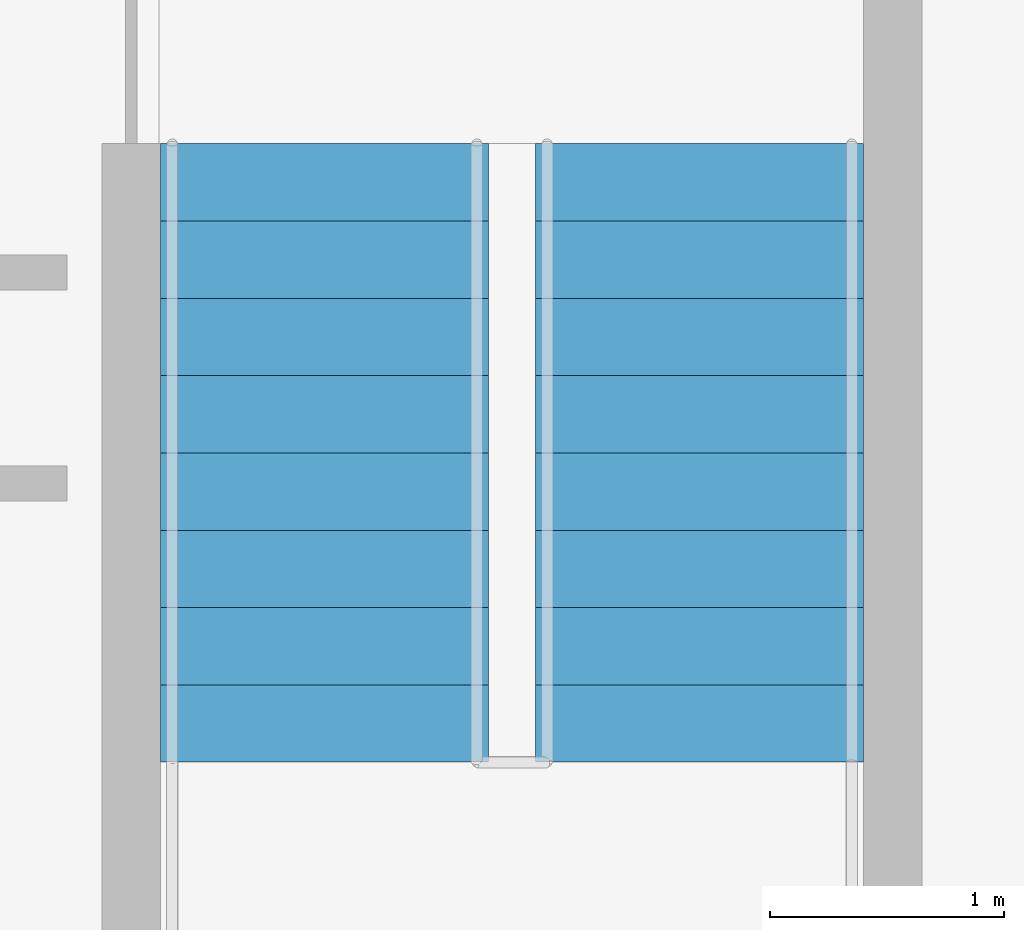
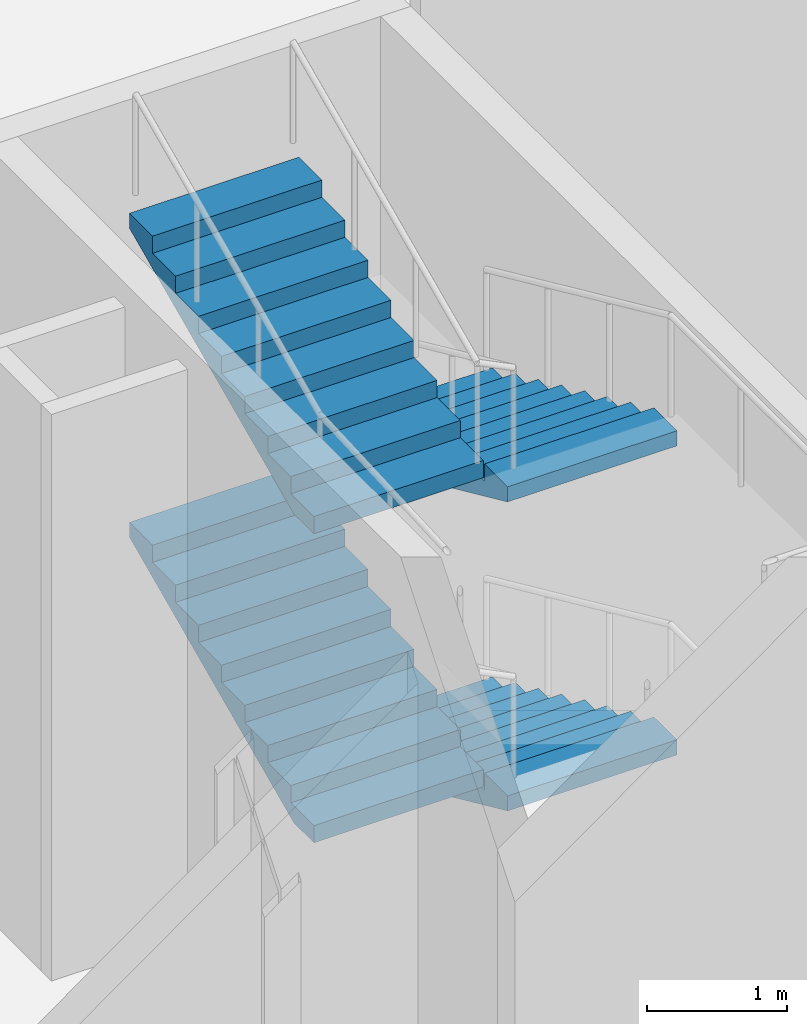
# One storey, part 16 of 19: 4 stair flights, 1 element without a shape of its own.
"""IFC4 building model written with IfcOpenShell, lengths in metres."""

import ifcopenshell
import ifcopenshell.guid

model = None  # the IFC model being written
_history = None  # IfcOwnerHistory: only IFC2X3 demands one
_inside = {}  # id of a spatial element -> (the spatial element, [elements in it])
_under = {}  # id of a project, library or spatial element -> (it, [spatial elements below it])
_declared = {}  # id of a project -> (the project, [libraries it declares])
_typed = {}  # id of a type object -> (the type object, [elements of that type])
_made_of = {}  # id of a material, layer set ... -> (it, [elements and type objects made of it])


def new_model(schema):
    """Start an empty IFC model of exactly this schema.

    Asked for "IFC4X3", IfcOpenShell would pick the latest addendum, in which some entities
    have other attributes; the version numbers below select the first issue.
    IFC2X3 requires an IfcOwnerHistory on every rooted entity: one is made here for all.
    """
    global model, _history
    if schema == "IFC4X3":
        model = ifcopenshell.file(schema_version=(4, 3, 0, 0))
    else:
        model = ifcopenshell.file(schema=schema)
    _inside.clear()
    _under.clear()
    _declared.clear()
    _typed.clear()
    _made_of.clear()
    _history = None
    if model.schema == "IFC2X3":
        org = make("IfcOrganization", Name="unknown")
        user = make(
            "IfcPersonAndOrganization",
            ThePerson=make("IfcPerson", FamilyName="unknown"),
            TheOrganization=org,
        )
        app = make(
            "IfcApplication",
            ApplicationDeveloper=org,
            Version="unknown",
            ApplicationFullName="unknown",
            ApplicationIdentifier="unknown",
        )
        _history = make(
            "IfcOwnerHistory",
            OwningUser=user,
            OwningApplication=app,
            ChangeAction="ADDED",
            CreationDate=0,
        )
    return model


def make(cls, **values):
    """One entity of the class cls with the attributes given. An attribute that is None is left unset."""
    return model.create_entity(
        cls, **{name: value for name, value in values.items() if value is not None}
    )


def rooted(cls, **values):
    """An entity with a GlobalId (a new one), such as an element, a storey or a relation."""
    return make(cls, GlobalId=ifcopenshell.guid.new(), OwnerHistory=_history, **values)


def si_unit(unit_type, name, prefix=None):
    """IfcSIUnit, for example si_unit("LENGTHUNIT", "METRE", prefix="MILLI")."""
    return make("IfcSIUnit", UnitType=unit_type, Prefix=prefix, Name=name)


def assignment(units):
    """IfcUnitAssignment: the units of a project."""
    return None if units is None else make("IfcUnitAssignment", Units=units)


def point(xyz):
    """IfcCartesianPoint."""
    return None if xyz is None else make("IfcCartesianPoint", Coordinates=xyz)


def direction(xyz):
    """IfcDirection."""
    return None if xyz is None else make("IfcDirection", DirectionRatios=xyz)


def frame(location, z_axis=None, x_axis=None):
    """IfcAxis2Placement3D, a coordinate frame: its origin and axes. An axis left out is left unset."""
    return make(
        "IfcAxis2Placement3D",
        Location=point(location),
        Axis=direction(z_axis),
        RefDirection=direction(x_axis),
    )


def origin():
    """The frame at (0, 0, 0) with its axes left unset."""
    return frame((0.0, 0.0, 0.0))


def place(relative_to, where):
    """IfcLocalPlacement: puts the frame where relative to a parent placement (None: the world)."""
    return make(
        "IfcLocalPlacement", PlacementRelTo=relative_to, RelativePlacement=where
    )


def context(
    kind, dimensions, precision=None, world=None, true_north=None, identifier=None
):
    """IfcGeometricRepresentationContext, for example the 3D "Model" context."""
    return make(
        "IfcGeometricRepresentationContext",
        ContextIdentifier=identifier,
        ContextType=kind,
        CoordinateSpaceDimension=dimensions,
        Precision=precision,
        WorldCoordinateSystem=world,
        TrueNorth=true_north,
    )


def subcontext(parent, identifier, kind, view, scale=None):
    """IfcGeometricRepresentationSubContext, for example "Body" below "Model"."""
    return make(
        "IfcGeometricRepresentationSubContext",
        ContextIdentifier=identifier,
        ContextType=kind,
        ParentContext=parent,
        TargetScale=scale,
        TargetView=view,
    )


def project(units=None, contexts=None):
    """IfcProject with its units and contexts."""
    return rooted(
        "IfcProject",
        Name="project",
        RepresentationContexts=contexts,
        UnitsInContext=assignment(units),
    )


def spatial(cls, under=None, at=None, **own):
    """A site, building, storey or space (cls), placed at a placement, below another one or the project."""
    s = rooted(cls, ObjectPlacement=at, **own)
    if under is not None:
        _under.setdefault(under.id(), (under, []))[1].append(s)
    return s


def point_list(points):
    """IfcCartesianPointList2D or 3D."""
    cls = (
        "IfcCartesianPointList2D" if len(points[0]) == 2 else "IfcCartesianPointList3D"
    )
    return make(cls, CoordList=points)


def polygons(points, faces, closed=None, point_numbers=None):
    """IfcPolygonalFaceSet: a face is its outer loop, then its inner loops; points numbered from 1."""
    made = []
    for loops in faces:
        if len(loops) == 1:
            made.append(make("IfcIndexedPolygonalFace", CoordIndex=loops[0]))
        else:
            made.append(
                make(
                    "IfcIndexedPolygonalFaceWithVoids",
                    CoordIndex=loops[0],
                    InnerCoordIndices=loops[1:],
                )
            )
    return make(
        "IfcPolygonalFaceSet",
        Coordinates=point_list(points),
        Closed=closed,
        Faces=made,
        PnIndex=point_numbers,
    )


def shape(context_of_items, identifier, shape_type, items):
    """IfcShapeRepresentation: the items that make up one representation, for example the "Body"."""
    return make(
        "IfcShapeRepresentation",
        ContextOfItems=context_of_items,
        RepresentationIdentifier=identifier,
        RepresentationType=shape_type,
        Items=items,
    )


def material(Name=None, Category=None):
    """IfcMaterial."""
    return make("IfcMaterial", Name=Name, Category=Category)


def made_of(thing, what):
    """Note that an element or type object is made of a material, layer set ...; save() writes the relation."""
    if what is not None:
        _made_of.setdefault(what.id(), (what, []))[1].append(thing)
    return thing


def type_object(cls, material=None, **own):
    """A type object (cls), such as IfcWallType, which elements share."""
    return made_of(rooted(cls, **own), material)


def element(
    cls,
    number,
    at=None,
    inside=None,
    cuts=None,
    type_object=None,
    material=None,
    context=None,
    identifier="Body",
    shape_type=None,
    held_by="IfcProductDefinitionShape",
    body=None,
    shapes=None,
    **own,
):
    """One element of the class cls, such as IfcWall. Its Tag is "e" and its number.

    at: its placement. inside: the storey or other place that contains it. cuts: it is an
    opening in that element (IfcRelVoidsElement). A single representation is given by context,
    identifier, shape_type and body (its items); several are given by shapes. held_by: the class
    of the entity that holds the representations. save() writes the other relations.
    """
    e = rooted(cls, Tag="e%d" % number, ObjectPlacement=at, **own)
    if body is not None:
        shapes = [shape(context, identifier, shape_type, body)]
    if shapes is not None:
        e.Representation = make(held_by, Representations=shapes)
    if inside is not None:
        _inside.setdefault(inside.id(), (inside, []))[1].append(e)
    if cuts is not None:
        rooted(
            "IfcRelVoidsElement", RelatingBuildingElement=cuts, RelatedOpeningElement=e
        )
    if type_object is not None:
        _typed.setdefault(type_object.id(), (type_object, []))[1].append(e)
    return made_of(e, material)


def aggregate(whole, parts):
    """IfcRelAggregates: a whole, such as a stair, and the parts it consists of."""
    return rooted("IfcRelAggregates", RelatingObject=whole, RelatedObjects=parts)


def save(model, path):
    """Write the relations noted so far, then the file.

    IfcRelAggregates (storeys below a building ...), IfcRelContainedInSpatialStructure (elements
    in a storey), IfcRelDefinesByType, IfcRelAssociatesMaterial and IfcRelDeclares: one each for
    every whole, place, type object, material and project.
    """
    for whole, parts in _under.values():
        aggregate(whole, parts)
    for where, things in _inside.values():
        rooted(
            "IfcRelContainedInSpatialStructure",
            RelatedElements=things,
            RelatingStructure=where,
        )
    for kind, things in _typed.values():
        rooted("IfcRelDefinesByType", RelatedObjects=things, RelatingType=kind)
    for what, things in _made_of.values():
        rooted("IfcRelAssociatesMaterial", RelatedObjects=things, RelatingMaterial=what)
    for by, libraries in _declared.values():
        rooted("IfcRelDeclares", RelatingContext=by, RelatedDefinitions=libraries)
    model.write(path)


model = new_model("IFC4")

# Units and contexts
model_context = context("Model", 3, precision=1e-05, world=origin(), true_north=direction((0.0, 1.0)))
body_context = subcontext(model_context, "Body", "Model", "MODEL_VIEW")
ifc_project = project(units=[si_unit("LENGTHUNIT", "METRE"), si_unit("AREAUNIT", "SQUARE_METRE"), si_unit("VOLUMEUNIT", "CUBIC_METRE"), si_unit("PLANEANGLEUNIT", "RADIAN"), si_unit("MASSUNIT", "GRAM", prefix="KILO")], contexts=[model_context])

# Site, building, storey
site_placement = place(None, origin())
site = spatial("IfcSite", under=ifc_project, at=site_placement, CompositionType="ELEMENT")
building_placement = place(site_placement, origin())
building = spatial("IfcBuilding", under=site, at=building_placement, Name="Njiva Tower", CompositionType="ELEMENT")
storey_placement = place(building_placement, frame((0.0, 0.0, -16.8)))
storey = spatial("IfcBuildingStorey", under=building, at=storey_placement, Name="B3", CompositionType="ELEMENT", Elevation=-16.8)

# Stair, stair flights
ifc_material = material(Name="Concrete C40/50", Category="concrete")
stair_type = type_object("IfcStairType", Name="ST2 Exit stair 1400", PredefinedType="HALF_TURN_STAIR", material=ifc_material)
stair_placement = place(storey_placement, origin())
stair = element("IfcStair", 1, at=stair_placement, inside=storey, type_object=stair_type, Name="Stair G basement", PredefinedType="DOUBLE_RETURN_STAIR")
stair_flight_type = type_object("IfcStairFlightType", Name="FL2 Stair flight 1400", PredefinedType="STRAIGHT", material=ifc_material)
stair_flight_1_placement = place(storey_placement, frame((29.45, -2.05, 0.0), z_axis=(0.0, 0.0, 1.0), x_axis=(0.0, -1.0, 0.0)))
stair_flight_1 = element("IfcStairFlight", 2, at=stair_flight_1_placement, type_object=stair_flight_type, Name="ST-GB flight 1", NumberOfRisers=9, NumberOfTreads=8, PredefinedType="STRAIGHT", RiserHeight=0.15, TreadLength=0.33, context=body_context, shape_type="Tessellation", body=[
    polygons([(0.0, 0.7, 0.0), (0.0, 0.35, 0.0), (0.0, 0.0, 0.0), (0.0, -0.35, 0.0), (0.0, -0.7, 0.0), (0.0, 0.7, 0.15), (0.0, 0.35, 0.15), (0.0, 0.0, 0.15), (0.0, -0.35, 0.15), (0.0, -0.7, 0.15), (0.33, 0.7, 0.15), (0.33, 0.35, 0.15), (0.33, 0.0, 0.15), (0.33, -0.35, 0.15), (0.33, -0.7, 0.15), (0.33, 0.7, 0.3), (0.33, 0.35, 0.3), (0.33, 0.0, 0.3), (0.33, -0.35, 0.3), (0.33, -0.7, 0.3), (0.66, 0.7, 0.3), (0.66, 0.35, 0.3), (0.66, 0.0, 0.3), (0.66, -0.35, 0.3), (0.66, -0.7, 0.3), (0.66, 0.7, 0.45), (0.66, 0.35, 0.45), (0.66, 0.0, 0.45), (0.66, -0.35, 0.45), (0.66, -0.7, 0.45), (0.99, 0.7, 0.45), (0.99, 0.35, 0.45), (0.99, 0.0, 0.45), (0.99, -0.35, 0.45), (0.99, -0.7, 0.45), (0.99, 0.7, 0.6), (0.99, 0.35, 0.6), (0.99, 0.0, 0.6), (0.99, -0.35, 0.6), (0.99, -0.7, 0.6), (1.32, 0.7, 0.6), (1.32, 0.35, 0.6), (1.32, 0.0, 0.6), (1.32, -0.35, 0.6), (1.32, -0.7, 0.6), (1.32, 0.7, 0.75), (1.32, 0.35, 0.75), (1.32, 0.0, 0.75), (1.32, -0.35, 0.75), (1.32, -0.7, 0.75), (1.65, 0.7, 0.75), (1.65, 0.35, 0.75), (1.65, 0.0, 0.75), (1.65, -0.35, 0.75), (1.65, -0.7, 0.75), (1.65, 0.7, 0.9), (1.65, 0.35, 0.9), (1.65, 0.0, 0.9), (1.65, -0.35, 0.9), (1.65, -0.7, 0.9), (1.98, 0.7, 0.9), (1.98, 0.35, 0.9), (1.98, 0.0, 0.9), (1.98, -0.35, 0.9), (1.98, -0.7, 0.9), (1.98, 0.7, 1.05), (1.98, 0.35, 1.05), (1.98, 0.0, 1.05), (1.98, -0.35, 1.05), (1.98, -0.7, 1.05), (2.31, 0.7, 1.05), (2.31, 0.35, 1.05), (2.31, 0.0, 1.05), (2.31, -0.35, 1.05), (2.31, -0.7, 1.05), (2.31, 0.7, 1.2), (2.31, 0.35, 1.2), (2.31, 0.0, 1.2), (2.31, -0.35, 1.2), (2.31, -0.7, 1.2), (2.64, 0.7, 1.2), (2.64, 0.35, 1.2), (2.64, 0.0, 1.2), (2.64, -0.35, 1.2), (2.64, -0.7, 1.2), (2.64, 0.7, 1.0682), (2.64, 0.35, 1.0682), (2.64, 0.0, 1.0682), (2.64, -0.35, 1.0682), (2.64, -0.7, 1.0682), (0.29, 0.7, 0.0), (0.29, 0.35, 0.0), (0.29, 0.0, 0.0), (0.29, -0.35, 0.0), (0.29, -0.7, 0.0)], [[[1, 6, 11, 16, 21, 26, 31, 36, 41, 46, 51, 56, 61, 66, 71, 76, 81, 86, 91]], [[95, 90, 85, 80, 75, 70, 65, 60, 55, 50, 45, 40, 35, 30, 25, 20, 15, 10, 5]], [[6, 1, 2, 7]], [[7, 2, 3, 8]], [[8, 3, 4, 9]], [[9, 4, 5, 10]], [[11, 6, 7, 12]], [[12, 7, 8, 13]], [[13, 8, 9, 14]], [[14, 9, 10, 15]], [[16, 11, 12, 17]], [[17, 12, 13, 18]], [[18, 13, 14, 19]], [[19, 14, 15, 20]], [[21, 16, 17, 22]], [[22, 17, 18, 23]], [[23, 18, 19, 24]], [[24, 19, 20, 25]], [[26, 21, 22, 27]], [[27, 22, 23, 28]], [[28, 23, 24, 29]], [[29, 24, 25, 30]], [[31, 26, 27, 32]], [[32, 27, 28, 33]], [[33, 28, 29, 34]], [[34, 29, 30, 35]], [[36, 31, 32, 37]], [[37, 32, 33, 38]], [[38, 33, 34, 39]], [[39, 34, 35, 40]], [[41, 36, 37, 42]], [[42, 37, 38, 43]], [[43, 38, 39, 44]], [[44, 39, 40, 45]], [[46, 41, 42, 47]], [[47, 42, 43, 48]], [[48, 43, 44, 49]], [[49, 44, 45, 50]], [[51, 46, 47, 52]], [[52, 47, 48, 53]], [[53, 48, 49, 54]], [[54, 49, 50, 55]], [[56, 51, 52, 57]], [[57, 52, 53, 58]], [[58, 53, 54, 59]], [[59, 54, 55, 60]], [[61, 56, 57, 62]], [[62, 57, 58, 63]], [[63, 58, 59, 64]], [[64, 59, 60, 65]], [[66, 61, 62, 67]], [[67, 62, 63, 68]], [[68, 63, 64, 69]], [[69, 64, 65, 70]], [[71, 66, 67, 72]], [[72, 67, 68, 73]], [[73, 68, 69, 74]], [[74, 69, 70, 75]], [[76, 71, 72, 77]], [[77, 72, 73, 78]], [[78, 73, 74, 79]], [[79, 74, 75, 80]], [[81, 76, 77, 82]], [[82, 77, 78, 83]], [[83, 78, 79, 84]], [[84, 79, 80, 85]], [[86, 81, 82, 87]], [[87, 82, 83, 88]], [[88, 83, 84, 89]], [[89, 84, 85, 90]], [[91, 86, 87, 92]], [[92, 87, 88, 93]], [[93, 88, 89, 94]], [[94, 89, 90, 95]], [[1, 91, 92, 2]], [[2, 92, 93, 3]], [[3, 93, 94, 4]], [[4, 94, 95, 5]]], closed=True),
])
stair_flight_2_placement = place(storey_placement, frame((27.85, -4.69, 1.35), z_axis=(0.0, 0.0, 1.0), x_axis=(0.0, 1.0, 0.0)))
stair_flight_2 = element("IfcStairFlight", 3, at=stair_flight_2_placement, type_object=stair_flight_type, Name="ST-GB flight 2", NumberOfRisers=9, NumberOfTreads=8, PredefinedType="STRAIGHT", RiserHeight=0.15, TreadLength=0.33, context=body_context, shape_type="Tessellation", body=[
    polygons([(0.0, 0.7, 0.0), (0.0, 0.35, 0.0), (0.0, 0.0, 0.0), (0.0, -0.35, 0.0), (0.0, -0.7, 0.0), (0.0, 0.7, 0.15), (0.0, 0.35, 0.15), (0.0, 0.0, 0.15), (0.0, -0.35, 0.15), (0.0, -0.7, 0.15), (0.33, 0.7, 0.15), (0.33, 0.35, 0.15), (0.33, 0.0, 0.15), (0.33, -0.35, 0.15), (0.33, -0.7, 0.15), (0.33, 0.7, 0.3), (0.33, 0.35, 0.3), (0.33, 0.0, 0.3), (0.33, -0.35, 0.3), (0.33, -0.7, 0.3), (0.66, 0.7, 0.3), (0.66, 0.35, 0.3), (0.66, 0.0, 0.3), (0.66, -0.35, 0.3), (0.66, -0.7, 0.3), (0.66, 0.7, 0.45), (0.66, 0.35, 0.45), (0.66, 0.0, 0.45), (0.66, -0.35, 0.45), (0.66, -0.7, 0.45), (0.99, 0.7, 0.45), (0.99, 0.35, 0.45), (0.99, 0.0, 0.45), (0.99, -0.35, 0.45), (0.99, -0.7, 0.45), (0.99, 0.7, 0.6), (0.99, 0.35, 0.6), (0.99, 0.0, 0.6), (0.99, -0.35, 0.6), (0.99, -0.7, 0.6), (1.32, 0.7, 0.6), (1.32, 0.35, 0.6), (1.32, 0.0, 0.6), (1.32, -0.35, 0.6), (1.32, -0.7, 0.6), (1.32, 0.7, 0.75), (1.32, 0.35, 0.75), (1.32, 0.0, 0.75), (1.32, -0.35, 0.75), (1.32, -0.7, 0.75), (1.65, 0.7, 0.75), (1.65, 0.35, 0.75), (1.65, 0.0, 0.75), (1.65, -0.35, 0.75), (1.65, -0.7, 0.75), (1.65, 0.7, 0.9), (1.65, 0.35, 0.9), (1.65, 0.0, 0.9), (1.65, -0.35, 0.9), (1.65, -0.7, 0.9), (1.98, 0.7, 0.9), (1.98, 0.35, 0.9), (1.98, 0.0, 0.9), (1.98, -0.35, 0.9), (1.98, -0.7, 0.9), (1.98, 0.7, 1.05), (1.98, 0.35, 1.05), (1.98, 0.0, 1.05), (1.98, -0.35, 1.05), (1.98, -0.7, 1.05), (2.31, 0.7, 1.05), (2.31, 0.35, 1.05), (2.31, 0.0, 1.05), (2.31, -0.35, 1.05), (2.31, -0.7, 1.05), (2.31, 0.7, 1.2), (2.31, 0.35, 1.2), (2.31, 0.0, 1.2), (2.31, -0.35, 1.2), (2.31, -0.7, 1.2), (2.64, 0.7, 1.2), (2.64, 0.35, 1.2), (2.64, 0.0, 1.2), (2.64, -0.35, 1.2), (2.64, -0.7, 1.2), (2.64, 0.7, 1.0682), (2.64, 0.35, 1.0682), (2.64, 0.0, 1.0682), (2.64, -0.35, 1.0682), (2.64, -0.7, 1.0682), (0.29, 0.7, 0.0), (0.29, 0.35, 0.0), (0.29, 0.0, 0.0), (0.29, -0.35, 0.0), (0.29, -0.7, 0.0)], [[[1, 6, 11, 16, 21, 26, 31, 36, 41, 46, 51, 56, 61, 66, 71, 76, 81, 86, 91]], [[95, 90, 85, 80, 75, 70, 65, 60, 55, 50, 45, 40, 35, 30, 25, 20, 15, 10, 5]], [[6, 1, 2, 7]], [[7, 2, 3, 8]], [[8, 3, 4, 9]], [[9, 4, 5, 10]], [[11, 6, 7, 12]], [[12, 7, 8, 13]], [[13, 8, 9, 14]], [[14, 9, 10, 15]], [[16, 11, 12, 17]], [[17, 12, 13, 18]], [[18, 13, 14, 19]], [[19, 14, 15, 20]], [[21, 16, 17, 22]], [[22, 17, 18, 23]], [[23, 18, 19, 24]], [[24, 19, 20, 25]], [[26, 21, 22, 27]], [[27, 22, 23, 28]], [[28, 23, 24, 29]], [[29, 24, 25, 30]], [[31, 26, 27, 32]], [[32, 27, 28, 33]], [[33, 28, 29, 34]], [[34, 29, 30, 35]], [[36, 31, 32, 37]], [[37, 32, 33, 38]], [[38, 33, 34, 39]], [[39, 34, 35, 40]], [[41, 36, 37, 42]], [[42, 37, 38, 43]], [[43, 38, 39, 44]], [[44, 39, 40, 45]], [[46, 41, 42, 47]], [[47, 42, 43, 48]], [[48, 43, 44, 49]], [[49, 44, 45, 50]], [[51, 46, 47, 52]], [[52, 47, 48, 53]], [[53, 48, 49, 54]], [[54, 49, 50, 55]], [[56, 51, 52, 57]], [[57, 52, 53, 58]], [[58, 53, 54, 59]], [[59, 54, 55, 60]], [[61, 56, 57, 62]], [[62, 57, 58, 63]], [[63, 58, 59, 64]], [[64, 59, 60, 65]], [[66, 61, 62, 67]], [[67, 62, 63, 68]], [[68, 63, 64, 69]], [[69, 64, 65, 70]], [[71, 66, 67, 72]], [[72, 67, 68, 73]], [[73, 68, 69, 74]], [[74, 69, 70, 75]], [[76, 71, 72, 77]], [[77, 72, 73, 78]], [[78, 73, 74, 79]], [[79, 74, 75, 80]], [[81, 76, 77, 82]], [[82, 77, 78, 83]], [[83, 78, 79, 84]], [[84, 79, 80, 85]], [[86, 81, 82, 87]], [[87, 82, 83, 88]], [[88, 83, 84, 89]], [[89, 84, 85, 90]], [[91, 86, 87, 92]], [[92, 87, 88, 93]], [[93, 88, 89, 94]], [[94, 89, 90, 95]], [[1, 91, 92, 2]], [[2, 92, 93, 3]], [[3, 93, 94, 4]], [[4, 94, 95, 5]]], closed=True),
])
stair_flight_3_placement = place(storey_placement, frame((29.45, -2.05, 2.7), z_axis=(0.0, 0.0, 1.0), x_axis=(0.0, -1.0, 0.0)))
stair_flight_3 = element("IfcStairFlight", 4, at=stair_flight_3_placement, type_object=stair_flight_type, Name="ST-GB flight 3", NumberOfRisers=9, NumberOfTreads=8, PredefinedType="STRAIGHT", RiserHeight=0.15, TreadLength=0.33, context=body_context, shape_type="Tessellation", body=[
    polygons([(0.0, 0.7, 0.0), (0.0, 0.35, 0.0), (0.0, 0.0, 0.0), (0.0, -0.35, 0.0), (0.0, -0.7, 0.0), (0.0, 0.7, 0.15), (0.0, 0.35, 0.15), (0.0, 0.0, 0.15), (0.0, -0.35, 0.15), (0.0, -0.7, 0.15), (0.33, 0.7, 0.15), (0.33, 0.35, 0.15), (0.33, 0.0, 0.15), (0.33, -0.35, 0.15), (0.33, -0.7, 0.15), (0.33, 0.7, 0.3), (0.33, 0.35, 0.3), (0.33, 0.0, 0.3), (0.33, -0.35, 0.3), (0.33, -0.7, 0.3), (0.66, 0.7, 0.3), (0.66, 0.35, 0.3), (0.66, 0.0, 0.3), (0.66, -0.35, 0.3), (0.66, -0.7, 0.3), (0.66, 0.7, 0.45), (0.66, 0.35, 0.45), (0.66, 0.0, 0.45), (0.66, -0.35, 0.45), (0.66, -0.7, 0.45), (0.99, 0.7, 0.45), (0.99, 0.35, 0.45), (0.99, 0.0, 0.45), (0.99, -0.35, 0.45), (0.99, -0.7, 0.45), (0.99, 0.7, 0.6), (0.99, 0.35, 0.6), (0.99, 0.0, 0.6), (0.99, -0.35, 0.6), (0.99, -0.7, 0.6), (1.32, 0.7, 0.6), (1.32, 0.35, 0.6), (1.32, 0.0, 0.6), (1.32, -0.35, 0.6), (1.32, -0.7, 0.6), (1.32, 0.7, 0.75), (1.32, 0.35, 0.75), (1.32, 0.0, 0.75), (1.32, -0.35, 0.75), (1.32, -0.7, 0.75), (1.65, 0.7, 0.75), (1.65, 0.35, 0.75), (1.65, 0.0, 0.75), (1.65, -0.35, 0.75), (1.65, -0.7, 0.75), (1.65, 0.7, 0.9), (1.65, 0.35, 0.9), (1.65, 0.0, 0.9), (1.65, -0.35, 0.9), (1.65, -0.7, 0.9), (1.98, 0.7, 0.9), (1.98, 0.35, 0.9), (1.98, 0.0, 0.9), (1.98, -0.35, 0.9), (1.98, -0.7, 0.9), (1.98, 0.7, 1.05), (1.98, 0.35, 1.05), (1.98, 0.0, 1.05), (1.98, -0.35, 1.05), (1.98, -0.7, 1.05), (2.31, 0.7, 1.05), (2.31, 0.35, 1.05), (2.31, 0.0, 1.05), (2.31, -0.35, 1.05), (2.31, -0.7, 1.05), (2.31, 0.7, 1.2), (2.31, 0.35, 1.2), (2.31, 0.0, 1.2), (2.31, -0.35, 1.2), (2.31, -0.7, 1.2), (2.64, 0.7, 1.2), (2.64, 0.35, 1.2), (2.64, 0.0, 1.2), (2.64, -0.35, 1.2), (2.64, -0.7, 1.2), (2.64, 0.7, 1.0682), (2.64, 0.35, 1.0682), (2.64, 0.0, 1.0682), (2.64, -0.35, 1.0682), (2.64, -0.7, 1.0682), (0.29, 0.7, 0.0), (0.29, 0.35, 0.0), (0.29, 0.0, 0.0), (0.29, -0.35, 0.0), (0.29, -0.7, 0.0)], [[[1, 6, 11, 16, 21, 26, 31, 36, 41, 46, 51, 56, 61, 66, 71, 76, 81, 86, 91]], [[95, 90, 85, 80, 75, 70, 65, 60, 55, 50, 45, 40, 35, 30, 25, 20, 15, 10, 5]], [[6, 1, 2, 7]], [[7, 2, 3, 8]], [[8, 3, 4, 9]], [[9, 4, 5, 10]], [[11, 6, 7, 12]], [[12, 7, 8, 13]], [[13, 8, 9, 14]], [[14, 9, 10, 15]], [[16, 11, 12, 17]], [[17, 12, 13, 18]], [[18, 13, 14, 19]], [[19, 14, 15, 20]], [[21, 16, 17, 22]], [[22, 17, 18, 23]], [[23, 18, 19, 24]], [[24, 19, 20, 25]], [[26, 21, 22, 27]], [[27, 22, 23, 28]], [[28, 23, 24, 29]], [[29, 24, 25, 30]], [[31, 26, 27, 32]], [[32, 27, 28, 33]], [[33, 28, 29, 34]], [[34, 29, 30, 35]], [[36, 31, 32, 37]], [[37, 32, 33, 38]], [[38, 33, 34, 39]], [[39, 34, 35, 40]], [[41, 36, 37, 42]], [[42, 37, 38, 43]], [[43, 38, 39, 44]], [[44, 39, 40, 45]], [[46, 41, 42, 47]], [[47, 42, 43, 48]], [[48, 43, 44, 49]], [[49, 44, 45, 50]], [[51, 46, 47, 52]], [[52, 47, 48, 53]], [[53, 48, 49, 54]], [[54, 49, 50, 55]], [[56, 51, 52, 57]], [[57, 52, 53, 58]], [[58, 53, 54, 59]], [[59, 54, 55, 60]], [[61, 56, 57, 62]], [[62, 57, 58, 63]], [[63, 58, 59, 64]], [[64, 59, 60, 65]], [[66, 61, 62, 67]], [[67, 62, 63, 68]], [[68, 63, 64, 69]], [[69, 64, 65, 70]], [[71, 66, 67, 72]], [[72, 67, 68, 73]], [[73, 68, 69, 74]], [[74, 69, 70, 75]], [[76, 71, 72, 77]], [[77, 72, 73, 78]], [[78, 73, 74, 79]], [[79, 74, 75, 80]], [[81, 76, 77, 82]], [[82, 77, 78, 83]], [[83, 78, 79, 84]], [[84, 79, 80, 85]], [[86, 81, 82, 87]], [[87, 82, 83, 88]], [[88, 83, 84, 89]], [[89, 84, 85, 90]], [[91, 86, 87, 92]], [[92, 87, 88, 93]], [[93, 88, 89, 94]], [[94, 89, 90, 95]], [[1, 91, 92, 2]], [[2, 92, 93, 3]], [[3, 93, 94, 4]], [[4, 94, 95, 5]]], closed=True),
])
stair_flight_4_placement = place(storey_placement, frame((27.85, -4.69, 4.05), z_axis=(0.0, 0.0, 1.0), x_axis=(0.0, 1.0, 0.0)))
stair_flight_4 = element("IfcStairFlight", 5, at=stair_flight_4_placement, type_object=stair_flight_type, Name="ST-GB flight 4", NumberOfRisers=9, NumberOfTreads=8, PredefinedType="STRAIGHT", RiserHeight=0.15, TreadLength=0.33, context=body_context, shape_type="Tessellation", body=[
    polygons([(0.0, 0.7, 0.0), (0.0, 0.35, 0.0), (0.0, 0.0, 0.0), (0.0, -0.35, 0.0), (0.0, -0.7, 0.0), (0.0, 0.7, 0.15), (0.0, 0.35, 0.15), (0.0, 0.0, 0.15), (0.0, -0.35, 0.15), (0.0, -0.7, 0.15), (0.33, 0.7, 0.15), (0.33, 0.35, 0.15), (0.33, 0.0, 0.15), (0.33, -0.35, 0.15), (0.33, -0.7, 0.15), (0.33, 0.7, 0.3), (0.33, 0.35, 0.3), (0.33, 0.0, 0.3), (0.33, -0.35, 0.3), (0.33, -0.7, 0.3), (0.66, 0.7, 0.3), (0.66, 0.35, 0.3), (0.66, 0.0, 0.3), (0.66, -0.35, 0.3), (0.66, -0.7, 0.3), (0.66, 0.7, 0.45), (0.66, 0.35, 0.45), (0.66, 0.0, 0.45), (0.66, -0.35, 0.45), (0.66, -0.7, 0.45), (0.99, 0.7, 0.45), (0.99, 0.35, 0.45), (0.99, 0.0, 0.45), (0.99, -0.35, 0.45), (0.99, -0.7, 0.45), (0.99, 0.7, 0.6), (0.99, 0.35, 0.6), (0.99, 0.0, 0.6), (0.99, -0.35, 0.6), (0.99, -0.7, 0.6), (1.32, 0.7, 0.6), (1.32, 0.35, 0.6), (1.32, 0.0, 0.6), (1.32, -0.35, 0.6), (1.32, -0.7, 0.6), (1.32, 0.7, 0.75), (1.32, 0.35, 0.75), (1.32, 0.0, 0.75), (1.32, -0.35, 0.75), (1.32, -0.7, 0.75), (1.65, 0.7, 0.75), (1.65, 0.35, 0.75), (1.65, 0.0, 0.75), (1.65, -0.35, 0.75), (1.65, -0.7, 0.75), (1.65, 0.7, 0.9), (1.65, 0.35, 0.9), (1.65, 0.0, 0.9), (1.65, -0.35, 0.9), (1.65, -0.7, 0.9), (1.98, 0.7, 0.9), (1.98, 0.35, 0.9), (1.98, 0.0, 0.9), (1.98, -0.35, 0.9), (1.98, -0.7, 0.9), (1.98, 0.7, 1.05), (1.98, 0.35, 1.05), (1.98, 0.0, 1.05), (1.98, -0.35, 1.05), (1.98, -0.7, 1.05), (2.31, 0.7, 1.05), (2.31, 0.35, 1.05), (2.31, 0.0, 1.05), (2.31, -0.35, 1.05), (2.31, -0.7, 1.05), (2.31, 0.7, 1.2), (2.31, 0.35, 1.2), (2.31, 0.0, 1.2), (2.31, -0.35, 1.2), (2.31, -0.7, 1.2), (2.64, 0.7, 1.2), (2.64, 0.35, 1.2), (2.64, 0.0, 1.2), (2.64, -0.35, 1.2), (2.64, -0.7, 1.2), (2.64, 0.7, 1.0682), (2.64, 0.35, 1.0682), (2.64, 0.0, 1.0682), (2.64, -0.35, 1.0682), (2.64, -0.7, 1.0682), (0.29, 0.7, 0.0), (0.29, 0.35, 0.0), (0.29, 0.0, 0.0), (0.29, -0.35, 0.0), (0.29, -0.7, 0.0)], [[[1, 6, 11, 16, 21, 26, 31, 36, 41, 46, 51, 56, 61, 66, 71, 76, 81, 86, 91]], [[95, 90, 85, 80, 75, 70, 65, 60, 55, 50, 45, 40, 35, 30, 25, 20, 15, 10, 5]], [[6, 1, 2, 7]], [[7, 2, 3, 8]], [[8, 3, 4, 9]], [[9, 4, 5, 10]], [[11, 6, 7, 12]], [[12, 7, 8, 13]], [[13, 8, 9, 14]], [[14, 9, 10, 15]], [[16, 11, 12, 17]], [[17, 12, 13, 18]], [[18, 13, 14, 19]], [[19, 14, 15, 20]], [[21, 16, 17, 22]], [[22, 17, 18, 23]], [[23, 18, 19, 24]], [[24, 19, 20, 25]], [[26, 21, 22, 27]], [[27, 22, 23, 28]], [[28, 23, 24, 29]], [[29, 24, 25, 30]], [[31, 26, 27, 32]], [[32, 27, 28, 33]], [[33, 28, 29, 34]], [[34, 29, 30, 35]], [[36, 31, 32, 37]], [[37, 32, 33, 38]], [[38, 33, 34, 39]], [[39, 34, 35, 40]], [[41, 36, 37, 42]], [[42, 37, 38, 43]], [[43, 38, 39, 44]], [[44, 39, 40, 45]], [[46, 41, 42, 47]], [[47, 42, 43, 48]], [[48, 43, 44, 49]], [[49, 44, 45, 50]], [[51, 46, 47, 52]], [[52, 47, 48, 53]], [[53, 48, 49, 54]], [[54, 49, 50, 55]], [[56, 51, 52, 57]], [[57, 52, 53, 58]], [[58, 53, 54, 59]], [[59, 54, 55, 60]], [[61, 56, 57, 62]], [[62, 57, 58, 63]], [[63, 58, 59, 64]], [[64, 59, 60, 65]], [[66, 61, 62, 67]], [[67, 62, 63, 68]], [[68, 63, 64, 69]], [[69, 64, 65, 70]], [[71, 66, 67, 72]], [[72, 67, 68, 73]], [[73, 68, 69, 74]], [[74, 69, 70, 75]], [[76, 71, 72, 77]], [[77, 72, 73, 78]], [[78, 73, 74, 79]], [[79, 74, 75, 80]], [[81, 76, 77, 82]], [[82, 77, 78, 83]], [[83, 78, 79, 84]], [[84, 79, 80, 85]], [[86, 81, 82, 87]], [[87, 82, 83, 88]], [[88, 83, 84, 89]], [[89, 84, 85, 90]], [[91, 86, 87, 92]], [[92, 87, 88, 93]], [[93, 88, 89, 94]], [[94, 89, 90, 95]], [[1, 91, 92, 2]], [[2, 92, 93, 3]], [[3, 93, 94, 4]], [[4, 94, 95, 5]]], closed=True),
])
aggregate(stair, [stair_flight_1, stair_flight_2, stair_flight_3, stair_flight_4])

save(model, "model.ifc")
